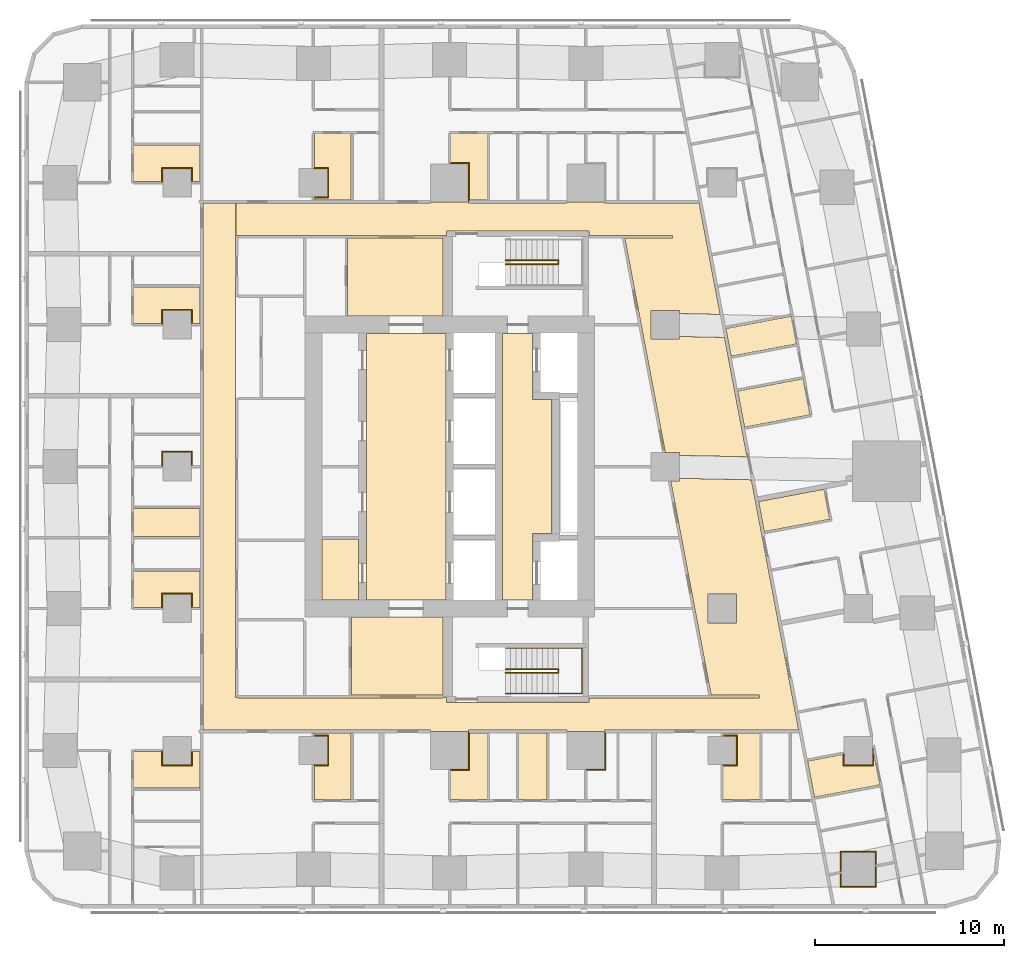
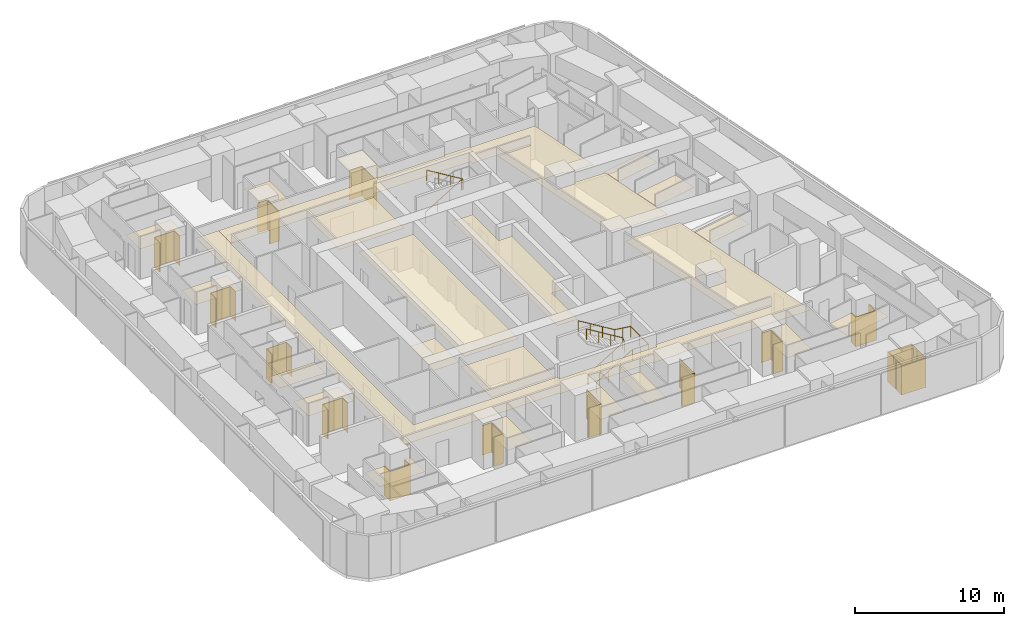
# One storey, part 13 of 14: 36 coverings, 3 railings.
"""IFC4 building model written with IfcOpenShell, lengths in metres."""

from ifc_helpers import new_model, si_unit, direction, frame, origin, origin_2d, place, context, subcontext, project, spatial, polyline, circle, outline, extrude, material, layer, layer_set, type_object, element, save


model = new_model("IFC4")

# Units and contexts
model_context = context("Model", 3, precision=1e-05, world=origin(), true_north=direction((0.0, 1.0)))
body_context = subcontext(model_context, "Body", "Model", "MODEL_VIEW")
ifc_project = project(units=[si_unit("LENGTHUNIT", "METRE"), si_unit("AREAUNIT", "SQUARE_METRE"), si_unit("VOLUMEUNIT", "CUBIC_METRE"), si_unit("PLANEANGLEUNIT", "RADIAN"), si_unit("MASSUNIT", "GRAM", prefix="KILO")], contexts=[model_context])

# Site, building, storey
site_placement = place(None, origin())
site = spatial("IfcSite", under=ifc_project, at=site_placement, CompositionType="ELEMENT")
building_placement = place(site_placement, origin())
building = spatial("IfcBuilding", under=site, at=building_placement, Name="Sheger Commons Tower", CompositionType="ELEMENT")
storey_placement = place(building_placement, frame((0.0, 0.0, 135.800048828125)))
storey = spatial("IfcBuildingStorey", under=building, at=storey_placement, Name="L34", CompositionType="ELEMENT", Elevation=135.800048828125)

# Railings
ifc_material_1 = material(Name="Steel handrail, black powder-coated", Category="steel")
railing_type = type_object("IfcRailingType", Name="HANDRAIL 900", PredefinedType="HANDRAIL", material=ifc_material_1)
railing_1_placement = place(storey_placement, frame((24.550048828125, 11.60009765625, 0.17041015625)))
element("IfcRailing", 1, at=railing_1_placement, inside=storey, type_object=railing_type, Name="Stair S1 handrail L34", PredefinedType="HANDRAIL", context=body_context, shape_type="SweptSolid", body=[
    extrude(circle(Radius=0.02392578125, at=origin_2d()), frame((0.0, 0.0, 0.8759765625), z_axis=(0.854169791009, 0.0, 0.51999420009), x_axis=(0.0, 1.0, 0.0)), (0.0, 0.0, 1.0), 3.278076171875),
    extrude(circle(Radius=0.02392578125, at=origin_2d()), frame((2.800048828125, 0.0, 2.58056640625), z_axis=(0.0, 0.761090297175, 0.648645943136), x_axis=(-1.0, 0.0, 0.0)), (0.0, 0.0, 1.0), 0.2626953125),
    extrude(circle(Radius=0.02392578125, at=origin_2d()), frame((2.800048828125, 0.199951171875, 2.7509765625), z_axis=(-0.854169791009, 0.0, 0.51999420009), x_axis=(0.0, -1.0, 0.0)), (0.0, 0.0, 1.0), 3.278076171875),
    extrude(circle(Radius=0.02099609375, at=origin_2d()), origin(), (0.0, 0.0, 1.0), 0.851806640625),
    extrude(circle(Radius=0.02099609375, at=origin_2d()), frame((0.933349609375, 0.0, 0.568115234375)), (0.0, 0.0, 1.0), 0.851806640625),
    extrude(circle(Radius=0.02099609375, at=origin_2d()), frame((1.86669921875, 0.0, 1.136474609375)), (0.0, 0.0, 1.0), 0.851806640625),
    extrude(circle(Radius=0.02099609375, at=origin_2d()), frame((2.800048828125, 0.0, 1.70458984375)), (0.0, 0.0, 1.0), 0.851806640625),
    extrude(circle(Radius=0.02099609375, at=origin_2d()), frame((2.800048828125, 0.199951171875, 1.875)), (0.0, 0.0, 1.0), 0.851806640625),
    extrude(circle(Radius=0.02099609375, at=origin_2d()), frame((1.86669921875, 0.199951171875, 2.443115234375)), (0.0, 0.0, 1.0), 0.851806640625),
    extrude(circle(Radius=0.02099609375, at=origin_2d()), frame((0.933349609375, 0.199951171875, 3.011474609375)), (0.0, 0.0, 1.0), 0.851806640625),
    extrude(circle(Radius=0.02099609375, at=origin_2d()), frame((0.0, 0.199951171875, 3.57958984375)), (0.0, 0.0, 1.0), 0.851806640625),
])
railing_2_placement = place(storey_placement, frame((24.550048828125, 10.5, 0.17041015625)))
element("IfcRailing", 2, at=railing_2_placement, inside=storey, type_object=railing_type, Name="Stair S1 handrail L34", PredefinedType="HANDRAIL", context=body_context, shape_type="SweptSolid", body=[
    extrude(circle(Radius=0.02392578125, at=origin_2d()), frame((0.0, 0.0, 0.8759765625), z_axis=(0.854169791009, 0.0, 0.51999420009), x_axis=(0.0, 1.0, 0.0)), (0.0, 0.0, 1.0), 3.278076171875),
    extrude(circle(Radius=0.02392578125, at=origin_2d()), frame((2.800048828125, 0.0, 2.58056640625), z_axis=(1.0, 0.0, 0.0), x_axis=(0.0, 1.0, 0.0)), (0.0, 0.0, 1.0), 1.25),
    extrude(circle(Radius=0.02392578125, at=origin_2d()), frame((4.050048828125, 0.0, 2.58056640625), z_axis=(0.0, 1.0, 0.0), x_axis=(-1.0, 0.0, 0.0)), (0.0, 0.0, 1.0), 2.39990234375),
    extrude(circle(Radius=0.02392578125, at=origin_2d()), frame((4.050048828125, 2.39990234375, 2.58056640625), z_axis=(-0.990834877927, 0.0, 0.135078661092), x_axis=(0.0, -1.0, 0.0)), (0.0, 0.0, 1.0), 1.261474609375),
    extrude(circle(Radius=0.02392578125, at=origin_2d()), frame((2.800048828125, 2.39990234375, 2.7509765625), z_axis=(-0.854169791009, 0.0, 0.51999420009), x_axis=(0.0, -1.0, 0.0)), (0.0, 0.0, 1.0), 3.278076171875),
    extrude(circle(Radius=0.02099609375, at=origin_2d()), origin(), (0.0, 0.0, 1.0), 0.851806640625),
    extrude(circle(Radius=0.02099609375, at=origin_2d()), frame((0.933349609375, 0.0, 0.568115234375)), (0.0, 0.0, 1.0), 0.851806640625),
    extrude(circle(Radius=0.02099609375, at=origin_2d()), frame((1.86669921875, 0.0, 1.136474609375)), (0.0, 0.0, 1.0), 0.851806640625),
    extrude(circle(Radius=0.02099609375, at=origin_2d()), frame((2.800048828125, 0.0, 1.70458984375)), (0.0, 0.0, 1.0), 0.851806640625),
    extrude(circle(Radius=0.02099609375, at=origin_2d()), frame((3.425048828125, 0.0, 1.70458984375)), (0.0, 0.0, 1.0), 0.851806640625),
    extrude(circle(Radius=0.02099609375, at=origin_2d()), frame((4.050048828125, 0.0, 1.70458984375)), (0.0, 0.0, 1.0), 0.851806640625),
    extrude(circle(Radius=0.02099609375, at=origin_2d()), frame((4.050048828125, 1.199951171875, 1.70458984375)), (0.0, 0.0, 1.0), 0.851806640625),
    extrude(circle(Radius=0.02099609375, at=origin_2d()), frame((4.050048828125, 2.39990234375, 1.70458984375)), (0.0, 0.0, 1.0), 0.851806640625),
    extrude(circle(Radius=0.02099609375, at=origin_2d()), frame((3.425048828125, 2.39990234375, 1.789794921875)), (0.0, 0.0, 1.0), 0.851806640625),
    extrude(circle(Radius=0.02099609375, at=origin_2d()), frame((2.800048828125, 2.39990234375, 1.875)), (0.0, 0.0, 1.0), 0.851806640625),
    extrude(circle(Radius=0.02099609375, at=origin_2d()), frame((1.86669921875, 2.39990234375, 2.443115234375)), (0.0, 0.0, 1.0), 0.851806640625),
    extrude(circle(Radius=0.02099609375, at=origin_2d()), frame((0.933349609375, 2.39990234375, 3.011474609375)), (0.0, 0.0, 1.0), 0.851806640625),
    extrude(circle(Radius=0.02099609375, at=origin_2d()), frame((0.0, 2.39990234375, 3.57958984375)), (0.0, 0.0, 1.0), 0.851806640625),
])
railing_3_placement = place(storey_placement, frame((24.550048828125, 33.39990234375, 0.17041015625)))
element("IfcRailing", 3, at=railing_3_placement, inside=storey, type_object=railing_type, Name="Stair S2 handrail L34", PredefinedType="HANDRAIL", context=body_context, shape_type="SweptSolid", body=[
    extrude(circle(Radius=0.02392578125, at=origin_2d()), frame((0.0, 0.0, 0.8759765625), z_axis=(0.854169791009, 0.0, 0.51999420009), x_axis=(0.0, 1.0, 0.0)), (0.0, 0.0, 1.0), 3.278076171875),
    extrude(circle(Radius=0.02392578125, at=origin_2d()), frame((2.800048828125, 0.0, 2.58056640625), z_axis=(0.0, -0.761090297175, 0.648645943136), x_axis=(1.0, 0.0, 0.0)), (0.0, 0.0, 1.0), 0.2626953125),
    extrude(circle(Radius=0.02392578125, at=origin_2d()), frame((2.800048828125, -0.199951171875, 2.7509765625), z_axis=(-0.854169791009, 0.0, 0.51999420009), x_axis=(0.0, -1.0, 0.0)), (0.0, 0.0, 1.0), 3.278076171875),
    extrude(circle(Radius=0.02099609375, at=origin_2d()), origin(), (0.0, 0.0, 1.0), 0.851806640625),
    extrude(circle(Radius=0.02099609375, at=origin_2d()), frame((0.933349609375, 0.0, 0.568115234375)), (0.0, 0.0, 1.0), 0.851806640625),
    extrude(circle(Radius=0.02099609375, at=origin_2d()), frame((1.86669921875, 0.0, 1.136474609375)), (0.0, 0.0, 1.0), 0.851806640625),
    extrude(circle(Radius=0.02099609375, at=origin_2d()), frame((2.800048828125, 0.0, 1.70458984375)), (0.0, 0.0, 1.0), 0.851806640625),
    extrude(circle(Radius=0.02099609375, at=origin_2d()), frame((2.800048828125, -0.199951171875, 1.875)), (0.0, 0.0, 1.0), 0.851806640625),
    extrude(circle(Radius=0.02099609375, at=origin_2d()), frame((1.86669921875, -0.199951171875, 2.443115234375)), (0.0, 0.0, 1.0), 0.851806640625),
    extrude(circle(Radius=0.02099609375, at=origin_2d()), frame((0.933349609375, -0.199951171875, 3.011474609375)), (0.0, 0.0, 1.0), 0.851806640625),
    extrude(circle(Radius=0.02099609375, at=origin_2d()), frame((0.0, -0.199951171875, 3.57958984375)), (0.0, 0.0, 1.0), 0.851806640625),
])

# Coverings
ifc_material_2 = material(Name="Moisture-resistant gypsum plasterboard 15 mm on a suspended galvanised steel grid", Category="steel")
ifc_layer_1 = layer(ifc_material_2, 0.014892578125)
ifc_layer_set_1 = layer_set([ifc_layer_1], Name="MOISTURE-RESISTANT CEILING 15")
covering_type_1 = type_object("IfcCoveringType", Name="MOISTURE-RESISTANT CEILING 15", PredefinedType="CEILING", material=ifc_layer_set_1)
covering_1_placement = place(storey_placement, frame((0.0, 0.0, 2.39990234375)))
element("IfcCovering", 4, at=covering_1_placement, inside=storey, type_object=covering_type_1, Name="L34-01.B1 ceiling", PredefinedType="CEILING", context=body_context, shape_type="SweptSolid", body=[
    extrude(outline(polyline([(4.905029296875, 5.5048828125), (8.419921875, 5.5048828125), (8.419921875, 7.445068359375), (7.955078125, 7.445068359375), (7.955078125, 6.7451171875), (6.445068359375, 6.7451171875), (6.445068359375, 7.445068359375), (4.905029296875, 7.445068359375), (4.905029296875, 5.5048828125)])), origin(), (0.0, 0.0, 1.0), 0.01513671875),
])
covering_2_placement = place(storey_placement, frame((0.0, 0.0, 2.39990234375)))
element("IfcCovering", 5, at=covering_2_placement, inside=storey, type_object=covering_type_1, Name="L34-02.B1 ceiling", PredefinedType="CEILING", context=body_context, shape_type="SweptSolid", body=[
    extrude(outline(polyline([(4.905029296875, 15.054931640625), (6.445068359375, 15.054931640625), (6.445068359375, 15.7548828125), (7.955078125, 15.7548828125), (7.955078125, 15.054931640625), (8.419921875, 15.054931640625), (8.419921875, 16.9951171875), (4.905029296875, 16.9951171875), (4.905029296875, 15.054931640625)])), origin(), (0.0, 0.0, 1.0), 0.01513671875),
])
covering_3_placement = place(storey_placement, frame((0.0, 0.0, 2.39990234375)))
element("IfcCovering", 6, at=covering_3_placement, inside=storey, type_object=covering_type_1, Name="L34-02.B2 ceiling", PredefinedType="CEILING", context=body_context, shape_type="SweptSolid", body=[
    extrude(outline(polyline([(4.905029296875, 18.804931640625), (8.419921875, 18.804931640625), (8.419921875, 20.294921875), (4.905029296875, 20.294921875), (4.905029296875, 18.804931640625)])), origin(), (0.0, 0.0, 1.0), 0.01513671875),
])
covering_4_placement = place(storey_placement, frame((0.0, 0.0, 2.39990234375)))
element("IfcCovering", 7, at=covering_4_placement, inside=storey, type_object=covering_type_1, Name="L34-03.B1 ceiling", PredefinedType="CEILING", context=body_context, shape_type="SweptSolid", body=[
    extrude(outline(polyline([(4.905029296875, 30.054931640625), (6.445068359375, 30.054931640625), (6.445068359375, 30.7548828125), (7.955078125, 30.7548828125), (7.955078125, 30.054931640625), (8.419921875, 30.054931640625), (8.419921875, 31.9951171875), (4.905029296875, 31.9951171875), (4.905029296875, 30.054931640625)])), origin(), (0.0, 0.0, 1.0), 0.01513671875),
])
covering_5_placement = place(storey_placement, frame((0.0, 0.0, 2.39990234375)))
element("IfcCovering", 8, at=covering_5_placement, inside=storey, type_object=covering_type_1, Name="L34-04.B1 ceiling", PredefinedType="CEILING", context=body_context, shape_type="SweptSolid", body=[
    extrude(outline(polyline([(4.905029296875, 37.554931640625), (6.445068359375, 37.554931640625), (6.445068359375, 38.2548828125), (7.955078125, 38.2548828125), (7.955078125, 37.554931640625), (8.419921875, 37.554931640625), (8.419921875, 39.4951171875), (4.905029296875, 39.4951171875), (4.905029296875, 37.554931640625)])), origin(), (0.0, 0.0, 1.0), 0.01513671875),
])
covering_6_placement = place(storey_placement, frame((0.0, 0.0, 2.39990234375)))
element("IfcCovering", 9, at=covering_6_placement, inside=storey, type_object=covering_type_1, Name="L34-05.B1 ceiling", PredefinedType="CEILING", context=body_context, shape_type="SweptSolid", body=[
    extrude(outline(polyline([(14.455078125, 4.905029296875), (16.39501953125, 4.905029296875), (16.39501953125, 8.419921875), (14.455078125, 8.419921875), (14.455078125, 8.2548828125), (15.155029296875, 8.2548828125), (15.155029296875, 6.7451171875), (14.455078125, 6.7451171875), (14.455078125, 4.905029296875)])), origin(), (0.0, 0.0, 1.0), 0.01513671875),
])
covering_7_placement = place(storey_placement, frame((0.0, 0.0, 2.39990234375)))
element("IfcCovering", 10, at=covering_7_placement, inside=storey, type_object=covering_type_1, Name="L34-06.B1 ceiling", PredefinedType="CEILING", context=body_context, shape_type="SweptSolid", body=[
    extrude(outline(polyline([(21.655029296875, 4.905029296875), (23.594970703125, 4.905029296875), (23.594970703125, 8.419921875), (22.60498046875, 8.419921875), (22.60498046875, 6.4951171875), (21.655029296875, 6.4951171875), (21.655029296875, 4.905029296875)])), origin(), (0.0, 0.0, 1.0), 0.01513671875),
])
covering_8_placement = place(storey_placement, frame((0.0, 0.0, 2.39990234375)))
element("IfcCovering", 11, at=covering_8_placement, inside=storey, type_object=covering_type_1, Name="L34-06.B2 ceiling", PredefinedType="CEILING", context=body_context, shape_type="SweptSolid", body=[
    extrude(outline(polyline([(25.2548828125, 4.905029296875), (26.7451171875, 4.905029296875), (26.7451171875, 8.419921875), (25.2548828125, 8.419921875), (25.2548828125, 4.905029296875)])), origin(), (0.0, 0.0, 1.0), 0.01513671875),
])
covering_9_placement = place(storey_placement, frame((0.0, 0.0, 2.39990234375)))
element("IfcCovering", 12, at=covering_9_placement, inside=storey, type_object=covering_type_1, Name="L34-07.B1 ceiling", PredefinedType="CEILING", context=body_context, shape_type="SweptSolid", body=[
    extrude(outline(polyline([(36.054931640625, 4.905029296875), (37.9951171875, 4.905029296875), (37.9951171875, 8.419921875), (36.054931640625, 8.419921875), (36.054931640625, 8.2548828125), (36.7548828125, 8.2548828125), (36.7548828125, 6.7451171875), (36.054931640625, 6.7451171875), (36.054931640625, 4.905029296875)])), origin(), (0.0, 0.0, 1.0), 0.01513671875),
])
covering_10_placement = place(storey_placement, frame((0.0, 0.0, 2.39990234375)))
element("IfcCovering", 13, at=covering_10_placement, inside=storey, type_object=covering_type_1, Name="L34-08.B1 ceiling", PredefinedType="CEILING", context=body_context, shape_type="SweptSolid", body=[
    extrude(outline(polyline([(37.18701171875, 24.5830078125), (40.64111328125, 25.236083984375), (40.281005859375, 27.14208984375), (36.826904296875, 26.489990234375), (37.18701171875, 24.5830078125)])), origin(), (0.0, 0.0, 1.0), 0.01513671875),
])
covering_11_placement = place(storey_placement, frame((0.0, 0.0, 2.39990234375)))
element("IfcCovering", 14, at=covering_11_placement, inside=storey, type_object=covering_type_1, Name="L34-08.B2 ceiling", PredefinedType="CEILING", context=body_context, shape_type="SweptSolid", body=[
    extrude(outline(polyline([(36.47900390625, 28.3330078125), (39.93310546875, 28.985107421875), (39.656982421875, 30.448974609375), (36.201904296875, 29.797119140625), (36.47900390625, 28.3330078125)])), origin(), (0.0, 0.0, 1.0), 0.01513671875),
])
covering_12_placement = place(storey_placement, frame((0.0, 0.0, 2.39990234375)))
element("IfcCovering", 15, at=covering_12_placement, inside=storey, type_object=covering_type_1, Name="L34-09.B1 ceiling", PredefinedType="CEILING", context=body_context, shape_type="SweptSolid", body=[
    extrude(outline(polyline([(38.22900390625, 19.06494140625), (41.68408203125, 19.716064453125), (41.384033203125, 21.303955078125), (37.929931640625, 20.652099609375), (38.22900390625, 19.06494140625)])), origin(), (0.0, 0.0, 1.0), 0.01513671875),
])
covering_13_placement = place(storey_placement, frame((0.0, 0.0, 2.39990234375)))
element("IfcCovering", 16, at=covering_13_placement, inside=storey, type_object=covering_type_1, Name="L34-10.B1 ceiling", PredefinedType="CEILING", context=body_context, shape_type="SweptSolid", body=[
    extrude(outline(polyline([(40.8798828125, 5.031982421875), (44.333984375, 5.68408203125), (43.964111328125, 7.64501953125), (43.955078125, 7.64306640625), (43.955078125, 6.7451171875), (42.445068359375, 6.7451171875), (42.445068359375, 7.302001953125), (40.52001953125, 6.93798828125), (40.8798828125, 5.031982421875)])), origin(), (0.0, 0.0, 1.0), 0.01513671875),
])
covering_14_placement = place(storey_placement, frame((0.0, 0.0, 2.39990234375)))
element("IfcCovering", 17, at=covering_14_placement, inside=storey, type_object=covering_type_1, Name="L34-11.B1 ceiling", PredefinedType="CEILING", context=body_context, shape_type="SweptSolid", body=[
    extrude(outline(polyline([(14.455078125, 36.580078125), (16.39501953125, 36.580078125), (16.39501953125, 40.094970703125), (14.455078125, 40.094970703125), (14.455078125, 38.2548828125), (15.155029296875, 38.2548828125), (15.155029296875, 36.7451171875), (14.455078125, 36.7451171875), (14.455078125, 36.580078125)])), origin(), (0.0, 0.0, 1.0), 0.01513671875),
])
covering_15_placement = place(storey_placement, frame((0.0, 0.0, 2.39990234375)))
element("IfcCovering", 18, at=covering_15_placement, inside=storey, type_object=covering_type_1, Name="L34-12.B1 ceiling", PredefinedType="CEILING", context=body_context, shape_type="SweptSolid", body=[
    extrude(outline(polyline([(22.60498046875, 36.580078125), (23.594970703125, 36.580078125), (23.594970703125, 40.094970703125), (21.655029296875, 40.094970703125), (21.655029296875, 38.5048828125), (22.60498046875, 38.5048828125), (22.60498046875, 36.580078125)])), origin(), (0.0, 0.0, 1.0), 0.01513671875),
])
covering_16_placement = place(storey_placement, frame((0.0, 0.0, 2.39990234375)))
element("IfcCovering", 19, at=covering_16_placement, inside=storey, type_object=covering_type_1, Name="L34-CRB1 ceiling", PredefinedType="CEILING", context=body_context, shape_type="SweptSolid", body=[
    extrude(outline(polyline([(14.85498046875, 15.455078125), (16.794921875, 15.455078125), (16.794921875, 18.68310546875), (14.85498046875, 18.68310546875), (14.85498046875, 15.455078125)])), origin(), (0.0, 0.0, 1.0), 0.01513671875),
])
ifc_material_3 = material(Name="Gypsum plasterboard 15 mm on a suspended steel grid", Category="steel")
ifc_layer_2 = layer(ifc_material_3, 0.014892578125)
ifc_layer_set_2 = layer_set([ifc_layer_2], Name="SUSPENDED CEILING 15")
covering_type_2 = type_object("IfcCoveringType", Name="SUSPENDED CEILING 15", PredefinedType="CEILING", material=ifc_layer_set_2)
covering_17_placement = place(storey_placement, frame((0.0, 0.0, 2.699951171875)))
element("IfcCovering", 20, at=covering_17_placement, inside=storey, type_object=covering_type_2, Name="L34-CO ceiling", PredefinedType="CEILING", context=body_context, shape_type="SweptSolid", body=[
    extrude(outline(polyline([(20.60400390625, 8.5048828125), (22.595947265625, 8.5048828125), (22.595947265625, 8.580078125), (27.803955078125, 8.580078125), (27.803955078125, 8.5048828125), (29.7958984375, 8.5048828125), (29.7958984375, 8.580078125), (40.047119140625, 8.580078125), (37.549072265625, 21.802978515625), (33.7548828125, 21.8798828125), (33.7548828125, 21.7451171875), (33.283935546875, 21.7451171875), (35.4208984375, 10.431884765625), (35.384033203125, 10.425048828125), (35.385986328125, 10.41796875), (37.968017578125, 10.41796875), (37.968017578125, 10.281982421875), (28.955078125, 10.281982421875), (28.955078125, 10.044921875), (21.445068359375, 10.044921875), (21.445068359375, 10.300048828125), (21.2548828125, 10.300048828125), (21.2548828125, 10.281982421875), (10.407958984375, 10.281982421875), (10.407958984375, 10.294921875), (10.281982421875, 10.294921875), (10.281982421875, 26.10498046875), (10.300048828125, 26.10498046875), (10.300048828125, 31.4951171875), (10.281982421875, 31.4951171875), (10.281982421875, 34.705078125), (10.298095703125, 34.705078125), (10.298095703125, 36.419921875), (8.580078125, 36.419921875), (8.580078125, 8.580078125), (20.60400390625, 8.580078125), (20.60400390625, 8.5048828125)]), holes=[polyline([(36.7548828125, 15.7548828125), (36.7548828125, 14.2451171875), (35.2451171875, 14.2451171875), (35.2451171875, 15.7548828125), (36.7548828125, 15.7548828125)])]), origin(), (0.0, 0.0, 1.0), 0.014892578125),
])
covering_18_placement = place(storey_placement, frame((0.0, 0.0, 2.699951171875)))
element("IfcCovering", 21, at=covering_18_placement, inside=storey, type_object=covering_type_2, Name="L34-CO ceiling", PredefinedType="CEILING", context=body_context, shape_type="SweptSolid", body=[
    extrude(outline(polyline([(37.320068359375, 23.01806640625), (36.12890625, 29.323974609375), (33.7548828125, 29.3779296875), (33.7548828125, 29.2451171875), (32.2451171875, 29.2451171875), (32.2451171875, 30.7548828125), (33.7548828125, 30.7548828125), (33.7548828125, 30.587890625), (35.89892578125, 30.5400390625), (34.77294921875, 36.5), (34.77001953125, 36.5), (34.77001953125, 36.419921875), (33.365966796875, 36.419921875), (33.361083984375, 34.719970703125), (33.361083984375, 36.419921875), (29.7958984375, 36.419921875), (29.7958984375, 36.4951171875), (27.803955078125, 36.4951171875), (27.803955078125, 36.419921875), (22.595947265625, 36.419921875), (22.595947265625, 36.4951171875), (20.60400390625, 36.4951171875), (20.60400390625, 36.419921875), (10.302978515625, 36.419921875), (10.302978515625, 34.705078125), (10.407958984375, 34.705078125), (10.407958984375, 34.718017578125), (21.2548828125, 34.718017578125), (21.2548828125, 34.699951171875), (21.445068359375, 34.699951171875), (21.445068359375, 34.955078125), (28.955078125, 34.955078125), (28.955078125, 34.718017578125), (33.361083984375, 34.718017578125), (33.3779296875, 34.718017578125), (33.3779296875, 34.58203125), (30.85888671875, 34.58203125), (32.99609375, 23.27099609375), (32.958984375, 23.263916015625), (32.9609375, 23.2548828125), (33.7548828125, 23.2548828125), (33.7548828125, 23.090087890625), (37.320068359375, 23.01806640625)])), origin(), (0.0, 0.0, 1.0), 0.014892578125),
])
covering_19_placement = place(storey_placement, frame((0.0, 0.0, 2.699951171875)))
element("IfcCovering", 22, at=covering_19_placement, inside=storey, type_object=covering_type_2, Name="L34-SVS1 ceiling", PredefinedType="CEILING", context=body_context, shape_type="SweptSolid", body=[
    extrude(outline(polyline([(16.406982421875, 10.41796875), (21.2451171875, 10.41796875), (21.2451171875, 14.544921875), (16.406982421875, 14.544921875), (16.406982421875, 10.41796875)])), origin(), (0.0, 0.0, 1.0), 0.014892578125),
])
covering_20_placement = place(storey_placement, frame((0.0, 0.0, 2.699951171875)))
element("IfcCovering", 23, at=covering_20_placement, inside=storey, type_object=covering_type_2, Name="L34-SVN1 ceiling", PredefinedType="CEILING", context=body_context, shape_type="SweptSolid", body=[
    extrude(outline(polyline([(16.217041015625, 30.455078125), (21.2451171875, 30.455078125), (21.2451171875, 34.58203125), (16.217041015625, 34.58203125), (16.217041015625, 30.455078125)])), origin(), (0.0, 0.0, 1.0), 0.014892578125),
])
covering_21_placement = place(storey_placement, frame((0.0, 0.0, 2.699951171875)))
element("IfcCovering", 24, at=covering_21_placement, inside=storey, type_object=covering_type_2, Name="L34-LL ceiling", PredefinedType="CEILING", context=body_context, shape_type="SweptSolid", body=[
    extrude(outline(polyline([(17.205078125, 15.455078125), (21.39990234375, 15.455078125), (21.39990234375, 29.544921875), (17.205078125, 29.544921875), (17.205078125, 15.455078125)])), origin(), (0.0, 0.0, 1.0), 0.014892578125),
])
covering_22_placement = place(storey_placement, frame((0.0, 0.0, 2.699951171875)))
element("IfcCovering", 25, at=covering_22_placement, inside=storey, type_object=covering_type_2, Name="L34-FL ceiling", PredefinedType="CEILING", context=body_context, shape_type="SweptSolid", body=[
    extrude(outline(polyline([(24.405029296875, 15.455078125), (25.9951171875, 15.455078125), (25.9951171875, 18.955078125), (26.9951171875, 18.955078125), (26.9951171875, 26.044921875), (25.9951171875, 26.044921875), (25.9951171875, 29.544921875), (24.405029296875, 29.544921875), (24.405029296875, 15.455078125)])), origin(), (0.0, 0.0, 1.0), 0.014892578125),
])
ifc_material_4 = material(Name="Moisture-resistant gypsum board 12.5 mm on 25 mm treated timber battens, tanked and tiled", Category="wood")
ifc_layer_3 = layer(ifc_material_4, 0.050048828125)
ifc_layer_set_3 = layer_set([ifc_layer_3], Name="WET-ROOM COLUMN LINING")
covering_type_3 = type_object("IfcCoveringType", Name="WET-ROOM COLUMN LINING", PredefinedType="CLADDING", material=ifc_layer_set_3)
covering_23_placement = place(storey_placement, origin())
element("IfcCovering", 26, at=covering_23_placement, inside=storey, type_object=covering_type_3, Name="Laundry room column lining C8 L34", PredefinedType="CLADDING", context=body_context, shape_type="SweptSolid", body=[
    extrude(outline(polyline([(44.14990234375, 2.175048828125), (44.14990234375, 1.455078125), (44.10107421875, 1.446044921875), (44.110107421875, 1.39697265625), (44.10009765625, 1.39501953125), (44.10009765625, 2.125), (42.300048828125, 2.125), (42.300048828125, 1.055908203125), (42.2900390625, 1.053955078125), (42.281005859375, 1.10205078125), (42.25, 1.095947265625), (42.25, 2.175048828125), (44.14990234375, 2.175048828125)])), origin(), (0.0, 0.0, 1.0), 2.39990234375),
])
covering_24_placement = place(storey_placement, origin())
element("IfcCovering", 27, at=covering_24_placement, inside=storey, type_object=covering_type_3, Name="Laundry room column lining C8 L34", PredefinedType="CLADDING", context=body_context, shape_type="SweptSolid", body=[
    extrude(outline(polyline([(42.300048828125, 1.055908203125), (42.300048828125, 0.324951171875), (44.10009765625, 0.324951171875), (44.10009765625, 1.39501953125), (44.110107421875, 1.39697265625), (44.118896484375, 1.347900390625), (44.14990234375, 1.35400390625), (44.14990234375, 0.27490234375), (42.25, 0.27490234375), (42.25, 0.9951171875), (42.299072265625, 1.00390625), (42.2900390625, 1.053955078125), (42.300048828125, 1.055908203125)])), origin(), (0.0, 0.0, 1.0), 2.39990234375),
])
covering_25_placement = place(storey_placement, origin())
element("IfcCovering", 28, at=covering_25_placement, inside=storey, type_object=covering_type_3, Name="Bathroom column lining C10 L34", PredefinedType="CLADDING", context=body_context, shape_type="SweptSolid", body=[
    extrude(outline(polyline([(6.449951171875, 7.5), (6.449951171875, 6.75), (7.949951171875, 6.75), (7.949951171875, 7.5), (7.950927734375, 7.5), (7.950927734375, 7.449951171875), (8.0, 7.449951171875), (8.0, 6.699951171875), (6.39990234375, 6.699951171875), (6.39990234375, 7.449951171875), (6.448974609375, 7.449951171875), (6.448974609375, 7.5), (6.449951171875, 7.5)])), origin(), (0.0, 0.0, 1.0), 2.39990234375),
])
covering_26_placement = place(storey_placement, origin())
element("IfcCovering", 29, at=covering_26_placement, inside=storey, type_object=covering_type_3, Name="Bathroom column lining C10 L34", PredefinedType="CLADDING", context=body_context, shape_type="SweptSolid", body=[
    extrude(outline(polyline([(15.199951171875, 6.699951171875), (14.449951171875, 6.699951171875), (14.449951171875, 6.7490234375), (14.39990234375, 6.7490234375), (14.39990234375, 6.75), (15.14990234375, 6.75), (15.14990234375, 8.25), (14.39990234375, 8.25), (14.39990234375, 8.2509765625), (14.449951171875, 8.2509765625), (14.449951171875, 8.300048828125), (15.199951171875, 8.300048828125), (15.199951171875, 6.699951171875)])), origin(), (0.0, 0.0, 1.0), 2.39990234375),
])
covering_27_placement = place(storey_placement, origin())
element("IfcCovering", 30, at=covering_27_placement, inside=storey, type_object=covering_type_3, Name="Bathroom column lining C7 L34", PredefinedType="CLADDING", context=body_context, shape_type="SweptSolid", body=[
    extrude(outline(polyline([(21.64990234375, 6.449951171875), (21.64990234375, 6.4990234375), (21.60009765625, 6.4990234375), (21.60009765625, 6.5), (22.60009765625, 6.5), (22.60009765625, 8.5), (22.60107421875, 8.5), (22.60107421875, 8.425048828125), (22.64990234375, 8.425048828125), (22.64990234375, 6.449951171875), (21.64990234375, 6.449951171875)])), origin(), (0.0, 0.0, 1.0), 2.39990234375),
])
covering_28_placement = place(storey_placement, origin())
element("IfcCovering", 31, at=covering_28_placement, inside=storey, type_object=covering_type_3, Name="Laundry room column lining C7 L34", PredefinedType="CLADDING", context=body_context, shape_type="SweptSolid", body=[
    extrude(outline(polyline([(28.85009765625, 6.449951171875), (28.85009765625, 6.4990234375), (28.800048828125, 6.4990234375), (28.800048828125, 6.5), (29.800048828125, 6.5), (29.800048828125, 8.5), (29.801025390625, 8.5), (29.801025390625, 8.425048828125), (29.85009765625, 8.425048828125), (29.85009765625, 6.449951171875), (28.85009765625, 6.449951171875)])), origin(), (0.0, 0.0, 1.0), 2.39990234375),
])
covering_29_placement = place(storey_placement, origin())
element("IfcCovering", 32, at=covering_29_placement, inside=storey, type_object=covering_type_3, Name="Bathroom column lining C10 L34", PredefinedType="CLADDING", context=body_context, shape_type="SweptSolid", body=[
    extrude(outline(polyline([(36.800048828125, 6.699951171875), (36.050048828125, 6.699951171875), (36.050048828125, 6.7490234375), (36.0, 6.7490234375), (36.0, 6.75), (36.75, 6.75), (36.75, 8.25), (36.0, 8.25), (36.0, 8.2509765625), (36.050048828125, 8.2509765625), (36.050048828125, 8.300048828125), (36.800048828125, 8.300048828125), (36.800048828125, 6.699951171875)])), origin(), (0.0, 0.0, 1.0), 2.39990234375),
])
covering_30_placement = place(storey_placement, origin())
element("IfcCovering", 33, at=covering_30_placement, inside=storey, type_object=covering_type_3, Name="Bathroom column lining C10 L34", PredefinedType="CLADDING", context=body_context, shape_type="SweptSolid", body=[
    extrude(outline(polyline([(42.449951171875, 7.35888671875), (42.449951171875, 6.75), (43.949951171875, 6.75), (43.949951171875, 7.64208984375), (43.968994140625, 7.64599609375), (44.0, 7.47998046875), (44.0, 6.699951171875), (42.39990234375, 6.699951171875), (42.39990234375, 7.299072265625), (42.448974609375, 7.30810546875), (42.43994140625, 7.35693359375), (42.449951171875, 7.35888671875)])), origin(), (0.0, 0.0, 1.0), 2.39990234375),
])
covering_31_placement = place(storey_placement, origin())
element("IfcCovering", 34, at=covering_31_placement, inside=storey, type_object=covering_type_3, Name="Bathroom column lining C10 L34", PredefinedType="CLADDING", context=body_context, shape_type="SweptSolid", body=[
    extrude(outline(polyline([(8.0, 15.800048828125), (8.0, 15.050048828125), (7.950927734375, 15.050048828125), (7.950927734375, 15.0), (7.949951171875, 15.0), (7.949951171875, 15.75), (6.449951171875, 15.75), (6.449951171875, 15.0), (6.448974609375, 15.0), (6.448974609375, 15.050048828125), (6.39990234375, 15.050048828125), (6.39990234375, 15.800048828125), (8.0, 15.800048828125)])), origin(), (0.0, 0.0, 1.0), 2.39990234375),
])
covering_32_placement = place(storey_placement, origin())
element("IfcCovering", 35, at=covering_32_placement, inside=storey, type_object=covering_type_3, Name="Laundry room column lining C10 L34", PredefinedType="CLADDING", context=body_context, shape_type="SweptSolid", body=[
    extrude(outline(polyline([(8.0, 23.300048828125), (8.0, 22.550048828125), (7.950927734375, 22.550048828125), (7.950927734375, 22.5), (7.949951171875, 22.5), (7.949951171875, 23.25), (6.449951171875, 23.25), (6.449951171875, 22.5), (6.448974609375, 22.5), (6.448974609375, 22.550048828125), (6.39990234375, 22.550048828125), (6.39990234375, 23.300048828125), (8.0, 23.300048828125)])), origin(), (0.0, 0.0, 1.0), 2.39990234375),
])
covering_33_placement = place(storey_placement, origin())
element("IfcCovering", 36, at=covering_33_placement, inside=storey, type_object=covering_type_3, Name="Bathroom column lining C10 L34", PredefinedType="CLADDING", context=body_context, shape_type="SweptSolid", body=[
    extrude(outline(polyline([(8.0, 30.800048828125), (8.0, 30.050048828125), (7.950927734375, 30.050048828125), (7.950927734375, 30.0), (7.949951171875, 30.0), (7.949951171875, 30.75), (6.449951171875, 30.75), (6.449951171875, 30.0), (6.448974609375, 30.0), (6.448974609375, 30.050048828125), (6.39990234375, 30.050048828125), (6.39990234375, 30.800048828125), (8.0, 30.800048828125)])), origin(), (0.0, 0.0, 1.0), 2.39990234375),
])
covering_34_placement = place(storey_placement, origin())
element("IfcCovering", 37, at=covering_34_placement, inside=storey, type_object=covering_type_3, Name="Bathroom column lining C10 L34", PredefinedType="CLADDING", context=body_context, shape_type="SweptSolid", body=[
    extrude(outline(polyline([(8.0, 38.300048828125), (8.0, 37.550048828125), (7.950927734375, 37.550048828125), (7.950927734375, 37.5), (7.949951171875, 37.5), (7.949951171875, 38.25), (6.449951171875, 38.25), (6.449951171875, 37.5), (6.448974609375, 37.5), (6.448974609375, 37.550048828125), (6.39990234375, 37.550048828125), (6.39990234375, 38.300048828125), (8.0, 38.300048828125)])), origin(), (0.0, 0.0, 1.0), 2.39990234375),
])
covering_35_placement = place(storey_placement, origin())
element("IfcCovering", 38, at=covering_35_placement, inside=storey, type_object=covering_type_3, Name="Bathroom column lining C10 L34", PredefinedType="CLADDING", context=body_context, shape_type="SweptSolid", body=[
    extrude(outline(polyline([(15.199951171875, 36.699951171875), (14.449951171875, 36.699951171875), (14.449951171875, 36.7490234375), (14.39990234375, 36.7490234375), (14.39990234375, 36.75), (15.14990234375, 36.75), (15.14990234375, 38.25), (14.39990234375, 38.25), (14.39990234375, 38.2509765625), (14.449951171875, 38.2509765625), (14.449951171875, 38.300048828125), (15.199951171875, 38.300048828125), (15.199951171875, 36.699951171875)])), origin(), (0.0, 0.0, 1.0), 2.39990234375),
])
covering_36_placement = place(storey_placement, origin())
element("IfcCovering", 39, at=covering_36_placement, inside=storey, type_object=covering_type_3, Name="Bathroom column lining C7 L34", PredefinedType="CLADDING", context=body_context, shape_type="SweptSolid", body=[
    extrude(outline(polyline([(22.64990234375, 36.574951171875), (22.60107421875, 36.574951171875), (22.60107421875, 36.5), (22.60009765625, 36.5), (22.60009765625, 38.5), (21.60009765625, 38.5), (21.60009765625, 38.5009765625), (21.64990234375, 38.5009765625), (21.64990234375, 38.550048828125), (22.64990234375, 38.550048828125), (22.64990234375, 36.574951171875)])), origin(), (0.0, 0.0, 1.0), 2.39990234375),
])

save(model, "model.ifc")
